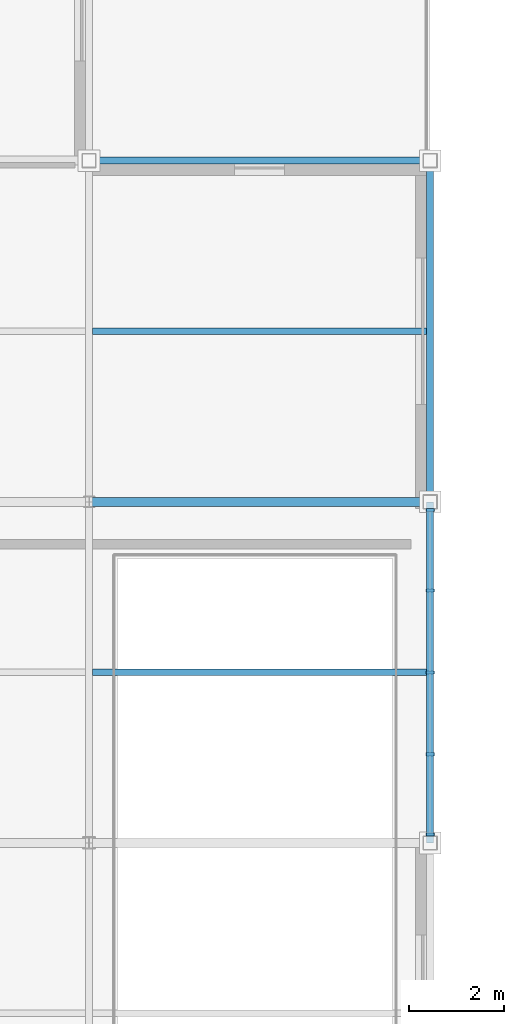
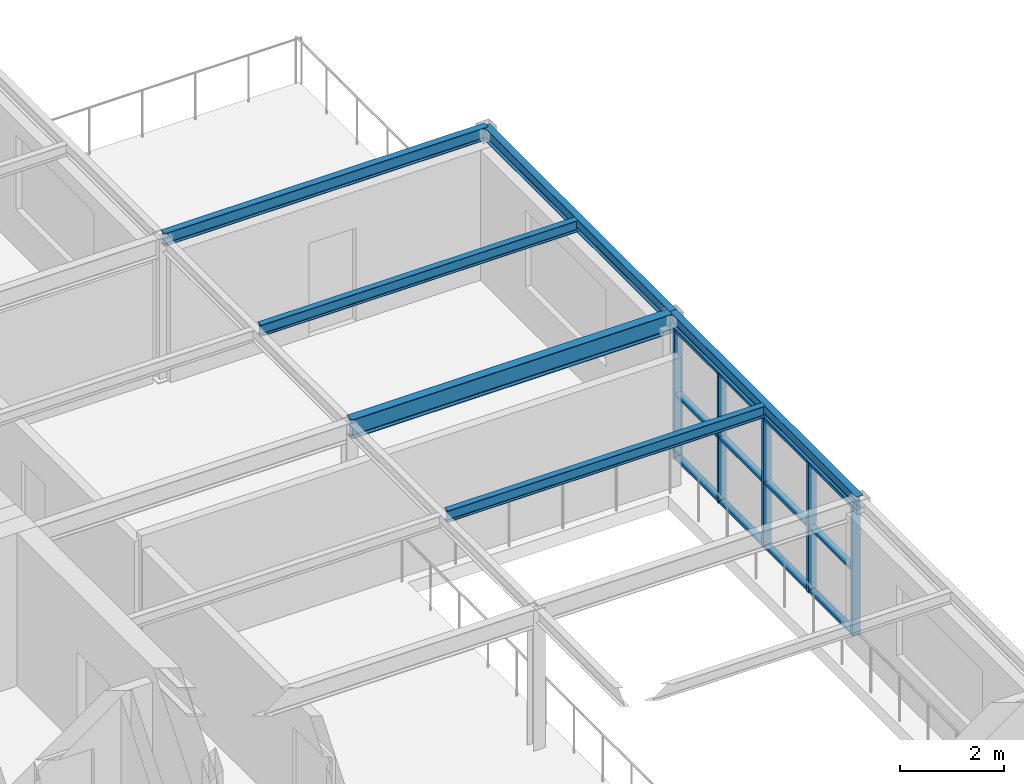
# One storey, part 9 of 22: 8 members, 6 beams, 1 element without a shape of its own.
"""IFC4 building model written with IfcOpenShell, lengths in metres."""

import ifcopenshell
import ifcopenshell.guid

model = None  # the IFC model being written
_history = None  # IfcOwnerHistory: only IFC2X3 demands one
_inside = {}  # id of a spatial element -> (the spatial element, [elements in it])
_under = {}  # id of a project, library or spatial element -> (it, [spatial elements below it])
_declared = {}  # id of a project -> (the project, [libraries it declares])
_typed = {}  # id of a type object -> (the type object, [elements of that type])
_made_of = {}  # id of a material, layer set ... -> (it, [elements and type objects made of it])


def new_model(schema):
    """Start an empty IFC model of exactly this schema.

    Asked for "IFC4X3", IfcOpenShell would pick the latest addendum, in which some entities
    have other attributes; the version numbers below select the first issue.
    IFC2X3 requires an IfcOwnerHistory on every rooted entity: one is made here for all.
    """
    global model, _history
    if schema == "IFC4X3":
        model = ifcopenshell.file(schema_version=(4, 3, 0, 0))
    else:
        model = ifcopenshell.file(schema=schema)
    _inside.clear()
    _under.clear()
    _declared.clear()
    _typed.clear()
    _made_of.clear()
    _history = None
    if model.schema == "IFC2X3":
        org = make("IfcOrganization", Name="unknown")
        user = make(
            "IfcPersonAndOrganization",
            ThePerson=make("IfcPerson", FamilyName="unknown"),
            TheOrganization=org,
        )
        app = make(
            "IfcApplication",
            ApplicationDeveloper=org,
            Version="unknown",
            ApplicationFullName="unknown",
            ApplicationIdentifier="unknown",
        )
        _history = make(
            "IfcOwnerHistory",
            OwningUser=user,
            OwningApplication=app,
            ChangeAction="ADDED",
            CreationDate=0,
        )
    return model


def make(cls, **values):
    """One entity of the class cls with the attributes given. An attribute that is None is left unset."""
    return model.create_entity(
        cls, **{name: value for name, value in values.items() if value is not None}
    )


def rooted(cls, **values):
    """An entity with a GlobalId (a new one), such as an element, a storey or a relation."""
    return make(cls, GlobalId=ifcopenshell.guid.new(), OwnerHistory=_history, **values)


def si_unit(unit_type, name, prefix=None):
    """IfcSIUnit, for example si_unit("LENGTHUNIT", "METRE", prefix="MILLI")."""
    return make("IfcSIUnit", UnitType=unit_type, Prefix=prefix, Name=name)


def assignment(units):
    """IfcUnitAssignment: the units of a project."""
    return None if units is None else make("IfcUnitAssignment", Units=units)


def point(xyz):
    """IfcCartesianPoint."""
    return None if xyz is None else make("IfcCartesianPoint", Coordinates=xyz)


def direction(xyz):
    """IfcDirection."""
    return None if xyz is None else make("IfcDirection", DirectionRatios=xyz)


def frame(location, z_axis=None, x_axis=None):
    """IfcAxis2Placement3D, a coordinate frame: its origin and axes. An axis left out is left unset."""
    return make(
        "IfcAxis2Placement3D",
        Location=point(location),
        Axis=direction(z_axis),
        RefDirection=direction(x_axis),
    )


def frame_2d(location, x_axis=None):
    """IfcAxis2Placement2D, a coordinate frame in the plane: its origin and x axis."""
    return make(
        "IfcAxis2Placement2D", Location=point(location), RefDirection=direction(x_axis)
    )


def origin():
    """The frame at (0, 0, 0) with its axes left unset."""
    return frame((0.0, 0.0, 0.0))


def origin_2d():
    """The frame at (0, 0) in the plane with its x axis left unset."""
    return frame_2d((0.0, 0.0))


def place(relative_to, where):
    """IfcLocalPlacement: puts the frame where relative to a parent placement (None: the world)."""
    return make(
        "IfcLocalPlacement", PlacementRelTo=relative_to, RelativePlacement=where
    )


def context(
    kind, dimensions, precision=None, world=None, true_north=None, identifier=None
):
    """IfcGeometricRepresentationContext, for example the 3D "Model" context."""
    return make(
        "IfcGeometricRepresentationContext",
        ContextIdentifier=identifier,
        ContextType=kind,
        CoordinateSpaceDimension=dimensions,
        Precision=precision,
        WorldCoordinateSystem=world,
        TrueNorth=true_north,
    )


def subcontext(parent, identifier, kind, view, scale=None):
    """IfcGeometricRepresentationSubContext, for example "Body" below "Model"."""
    return make(
        "IfcGeometricRepresentationSubContext",
        ContextIdentifier=identifier,
        ContextType=kind,
        ParentContext=parent,
        TargetScale=scale,
        TargetView=view,
    )


def project(units=None, contexts=None):
    """IfcProject with its units and contexts."""
    return rooted(
        "IfcProject",
        Name="project",
        RepresentationContexts=contexts,
        UnitsInContext=assignment(units),
    )


def spatial(cls, under=None, at=None, **own):
    """A site, building, storey or space (cls), placed at a placement, below another one or the project."""
    s = rooted(cls, ObjectPlacement=at, **own)
    if under is not None:
        _under.setdefault(under.id(), (under, []))[1].append(s)
    return s


def profile(cls, at=None, kind="AREA", **sizes):
    """A parametric profile (cls). Its sizes go by their IFC names, for example OverallWidth=200.0."""
    return make(cls, ProfileType=kind, Position=at, **sizes)


def rectangle(**sizes):
    """IfcRectangleProfileDef."""
    return profile("IfcRectangleProfileDef", **sizes)


def i_section(**sizes):
    """IfcIShapeProfileDef."""
    return profile("IfcIShapeProfileDef", **sizes)


def extrude(swept, where, along, depth):
    """IfcExtrudedAreaSolid: the profile swept, set in the frame where, extruded along a direction by depth."""
    return make(
        "IfcExtrudedAreaSolid",
        SweptArea=swept,
        Position=where,
        ExtrudedDirection=direction(along),
        Depth=depth,
    )


def shape(context_of_items, identifier, shape_type, items):
    """IfcShapeRepresentation: the items that make up one representation, for example the "Body"."""
    return make(
        "IfcShapeRepresentation",
        ContextOfItems=context_of_items,
        RepresentationIdentifier=identifier,
        RepresentationType=shape_type,
        Items=items,
    )


def material(Name=None, Category=None):
    """IfcMaterial."""
    return make("IfcMaterial", Name=Name, Category=Category)


def material_profile(
    of_material, cross_section, Name=None, Category=None, Priority=None
):
    """IfcMaterialProfile: a cross section and its material."""
    return make(
        "IfcMaterialProfile",
        Name=Name,
        Material=of_material,
        Profile=cross_section,
        Priority=Priority,
        Category=Category,
    )


def profile_set(profiles, Name=None, composite=None):
    """IfcMaterialProfileSet."""
    return make(
        "IfcMaterialProfileSet",
        Name=Name,
        MaterialProfiles=profiles,
        CompositeProfile=composite,
    )


def made_of(thing, what):
    """Note that an element or type object is made of a material, layer set ...; save() writes the relation."""
    if what is not None:
        _made_of.setdefault(what.id(), (what, []))[1].append(thing)
    return thing


def type_object(cls, material=None, **own):
    """A type object (cls), such as IfcWallType, which elements share."""
    return made_of(rooted(cls, **own), material)


def element(
    cls,
    number,
    at=None,
    inside=None,
    cuts=None,
    type_object=None,
    material=None,
    context=None,
    identifier="Body",
    shape_type=None,
    held_by="IfcProductDefinitionShape",
    body=None,
    shapes=None,
    **own,
):
    """One element of the class cls, such as IfcWall. Its Tag is "e" and its number.

    at: its placement. inside: the storey or other place that contains it. cuts: it is an
    opening in that element (IfcRelVoidsElement). A single representation is given by context,
    identifier, shape_type and body (its items); several are given by shapes. held_by: the class
    of the entity that holds the representations. save() writes the other relations.
    """
    e = rooted(cls, Tag="e%d" % number, ObjectPlacement=at, **own)
    if body is not None:
        shapes = [shape(context, identifier, shape_type, body)]
    if shapes is not None:
        e.Representation = make(held_by, Representations=shapes)
    if inside is not None:
        _inside.setdefault(inside.id(), (inside, []))[1].append(e)
    if cuts is not None:
        rooted(
            "IfcRelVoidsElement", RelatingBuildingElement=cuts, RelatedOpeningElement=e
        )
    if type_object is not None:
        _typed.setdefault(type_object.id(), (type_object, []))[1].append(e)
    return made_of(e, material)


def aggregate(whole, parts):
    """IfcRelAggregates: a whole, such as a stair, and the parts it consists of."""
    return rooted("IfcRelAggregates", RelatingObject=whole, RelatedObjects=parts)


def save(model, path):
    """Write the relations noted so far, then the file.

    IfcRelAggregates (storeys below a building ...), IfcRelContainedInSpatialStructure (elements
    in a storey), IfcRelDefinesByType, IfcRelAssociatesMaterial and IfcRelDeclares: one each for
    every whole, place, type object, material and project.
    """
    for whole, parts in _under.values():
        aggregate(whole, parts)
    for where, things in _inside.values():
        rooted(
            "IfcRelContainedInSpatialStructure",
            RelatedElements=things,
            RelatingStructure=where,
        )
    for kind, things in _typed.values():
        rooted("IfcRelDefinesByType", RelatedObjects=things, RelatingType=kind)
    for what, things in _made_of.values():
        rooted("IfcRelAssociatesMaterial", RelatedObjects=things, RelatingMaterial=what)
    for by, libraries in _declared.values():
        rooted("IfcRelDeclares", RelatingContext=by, RelatedDefinitions=libraries)
    model.write(path)


model = new_model("IFC4")

# Units and contexts
model_context = context("Model", 3, precision=1e-05, world=origin(), true_north=direction((0.0, 1.0)))
body_context = subcontext(model_context, "Body", "Model", "MODEL_VIEW")
ifc_project = project(units=[si_unit("LENGTHUNIT", "METRE"), si_unit("AREAUNIT", "SQUARE_METRE"), si_unit("VOLUMEUNIT", "CUBIC_METRE"), si_unit("PLANEANGLEUNIT", "RADIAN"), si_unit("MASSUNIT", "GRAM", prefix="KILO")], contexts=[model_context])

# Site, building, storey
site_placement = place(None, origin())
site = spatial("IfcSite", under=ifc_project, at=site_placement, CompositionType="ELEMENT")
building_placement = place(site_placement, origin())
building = spatial("IfcBuilding", under=site, at=building_placement, Name="Leyfeld Transit Interchange", CompositionType="ELEMENT")
storey_placement = place(building_placement, frame((0.0, 0.0, 18.0)))
storey = spatial("IfcBuildingStorey", under=building, at=storey_placement, Name="L04", CompositionType="ELEMENT", Elevation=18.0)

# Beams
ifc_material_1 = material(Name="Steel S355J2", Category="steel")
ifc_material_profile_1 = material_profile(ifc_material_1, i_section(OverallWidth=0.135009765625, OverallDepth=0.27001953125, WebThickness=0.006591796875, FlangeThickness=0.01025390625, FilletRadius=0.014892578125, at=origin_2d()), Name="IPE 270")
ifc_profile_set_1 = profile_set([ifc_material_profile_1], Name="Steel S355J2")
beam_type_1 = type_object("IfcBeamType", Name="BM-STL-IPE270", PredefinedType="BEAM", material=ifc_profile_set_1)
for number, where, z_axis, x_axis, name in (
    (1, (28.8720703125, 104.39990234375, 3.22509765625), (1.0, 0.0, 0.0), (0.0, 1.0, 0.0), "Beam BM-L04-0289_1044-0359_1044"),
    (2, (28.8720703125, 111.60009765625, 3.22509765625), (1.0, 0.0, 0.0), (0.0, 1.0, 0.0), "Beam BM-L04-0289_1116-0359_1116"),
):
    element("IfcBeam", number, at=place(storey_placement, frame(where, z_axis=z_axis, x_axis=x_axis)), inside=storey, type_object=beam_type_1, Name=name, PredefinedType="BEAM", context=body_context, shape_type="SweptSolid", body=[
        extrude(i_section(OverallWidth=0.135009765625, OverallDepth=0.27001953125, WebThickness=0.006591796875, FlangeThickness=0.01025390625, FilletRadius=0.014892578125, at=origin_2d()), origin(), (0.0, 0.0, 1.0), 7.055908203125),
    ])
ifc_material_profile_2 = material_profile(ifc_material_1, i_section(OverallWidth=0.14990234375, OverallDepth=0.300048828125, WebThickness=0.007080078125, FlangeThickness=0.0107421875, FilletRadius=0.014892578125, at=origin_2d()), Name="IPE 300")
ifc_profile_set_2 = profile_set([ifc_material_profile_2], Name="Steel S355J2")
beam_type_2 = type_object("IfcBeamType", Name="BM-STL-IPE300", PredefinedType="SPANDREL", material=ifc_profile_set_2)
for number, where, z_axis, x_axis, name in (
    (3, (36.0, 100.800048828125, 3.2099609375), (0.0, 1.0, 0.0), (-1.0, 0.0, 0.0), "Beam BM-L04-0360_1008-0360_1080"),
    (4, (36.0, 108.0, 3.2099609375), (0.0, 1.0, 0.0), (-1.0, 0.0, 0.0), "Beam BM-L04-0360_1080-0360_1152"),
    (5, (28.800048828125, 115.199951171875, 3.2099609375), (1.0, 0.0, 0.0), (0.0, 1.0, 0.0), "Beam BM-L04-0288_1152-0360_1152"),
):
    element("IfcBeam", number, at=place(storey_placement, frame(where, z_axis=z_axis, x_axis=x_axis)), inside=storey, type_object=beam_type_2, Name=name, PredefinedType="SPANDREL", context=body_context, shape_type="SweptSolid", body=[
        extrude(i_section(OverallWidth=0.14990234375, OverallDepth=0.300048828125, WebThickness=0.007080078125, FlangeThickness=0.0107421875, FilletRadius=0.014892578125, at=origin_2d()), origin(), (0.0, 0.0, 1.0), 7.199951171875),
    ])
ifc_material_profile_3 = material_profile(ifc_material_1, i_section(OverallWidth=0.18994140625, OverallDepth=0.449951171875, WebThickness=0.009521484375, FlangeThickness=0.0146484375, FilletRadius=0.02099609375, at=origin_2d()), Name="IPE 450")
ifc_profile_set_3 = profile_set([ifc_material_profile_3], Name="Steel S355J2")
beam_type_3 = type_object("IfcBeamType", Name="BM-STL-IPE450", PredefinedType="BEAM", material=ifc_profile_set_3)
beam_placement = place(storey_placement, frame((28.800048828125, 108.0, 3.135009765625), z_axis=(1.0, 0.0, 0.0), x_axis=(0.0, 1.0, 0.0)))
element("IfcBeam", 6, at=beam_placement, inside=storey, type_object=beam_type_3, Name="Beam BM-L04-0288_1080-0360_1080", PredefinedType="BEAM", context=body_context, shape_type="SweptSolid", body=[
    extrude(i_section(OverallWidth=0.18994140625, OverallDepth=0.449951171875, WebThickness=0.009521484375, FlangeThickness=0.0146484375, FilletRadius=0.02099609375, at=origin_2d()), origin(), (0.0, 0.0, 1.0), 7.199951171875),
])

# Curtain wall, members
ifc_material_2 = material(Name="Anodised aluminium EN AW-6060 T66", Category="aluminium")
curtain_wall_type = type_object("IfcCurtainWallType", Name="CW-SYS-OPS-7200", PredefinedType="NOTDEFINED", material=ifc_material_2)
curtain_wall_placement = place(storey_placement, origin())
curtain_wall = element("IfcCurtainWall", 7, at=curtain_wall_placement, inside=storey, type_object=curtain_wall_type, Name="Curtain Wall CW-L04-138", PredefinedType="NOTDEFINED")
ifc_material_profile_4 = material_profile(ifc_material_2, rectangle(XDim=0.06494140625, YDim=0.179931640625, at=origin_2d()), Name="CW-M 65x180")
ifc_profile_set_4 = profile_set([ifc_material_profile_4], Name="Anodised aluminium EN AW-6060 T66")
member_type_1 = type_object("IfcMemberType", Name="CW-MUL-150x65", PredefinedType="MULLION", material=ifc_profile_set_4)
member_1_placement = place(storey_placement, frame((36.0, 107.827392578125, 0.0), z_axis=(0.0, 0.0, 1.0), x_axis=(0.0, -1.0, 0.0)))
member_1 = element("IfcMember", 8, at=member_1_placement, type_object=member_type_1, Name="Curtain Mullion CW-L04-138-M01", PredefinedType="MULLION", context=body_context, shape_type="SweptSolid", body=[
    extrude(rectangle(XDim=0.06494140625, YDim=0.179931640625, at=origin_2d()), origin(), (0.0, 0.0, 1.0), 3.06005859375),
])
member_2_placement = place(storey_placement, frame((36.0, 106.1298828125, 0.0), z_axis=(0.0, 0.0, 1.0), x_axis=(0.0, -1.0, 0.0)))
member_2 = element("IfcMember", 9, at=member_2_placement, type_object=member_type_1, Name="Curtain Mullion CW-L04-138-M02", PredefinedType="MULLION", context=body_context, shape_type="SweptSolid", body=[
    extrude(rectangle(XDim=0.06494140625, YDim=0.179931640625, at=origin_2d()), origin(), (0.0, 0.0, 1.0), 3.06005859375),
])
member_3_placement = place(storey_placement, frame((36.0, 104.39990234375, 0.0), z_axis=(0.0, 0.0, 1.0), x_axis=(0.0, -1.0, 0.0)))
member_3 = element("IfcMember", 10, at=member_3_placement, type_object=member_type_1, Name="Curtain Mullion CW-L04-138-M03", PredefinedType="MULLION", context=body_context, shape_type="SweptSolid", body=[
    extrude(rectangle(XDim=0.06494140625, YDim=0.179931640625, at=origin_2d()), origin(), (0.0, 0.0, 1.0), 3.06005859375),
])
member_4_placement = place(storey_placement, frame((36.0, 102.669921875, 0.0), z_axis=(0.0, 0.0, 1.0), x_axis=(0.0, -1.0, 0.0)))
member_4 = element("IfcMember", 11, at=member_4_placement, type_object=member_type_1, Name="Curtain Mullion CW-L04-138-M04", PredefinedType="MULLION", context=body_context, shape_type="SweptSolid", body=[
    extrude(rectangle(XDim=0.06494140625, YDim=0.179931640625, at=origin_2d()), origin(), (0.0, 0.0, 1.0), 3.06005859375),
])
member_5_placement = place(storey_placement, frame((36.0, 100.972412109375, 0.0), z_axis=(0.0, 0.0, 1.0), x_axis=(0.0, -1.0, 0.0)))
member_5 = element("IfcMember", 12, at=member_5_placement, type_object=member_type_1, Name="Curtain Mullion CW-L04-138-M05", PredefinedType="MULLION", context=body_context, shape_type="SweptSolid", body=[
    extrude(rectangle(XDim=0.06494140625, YDim=0.179931640625, at=origin_2d()), origin(), (0.0, 0.0, 1.0), 3.06005859375),
])
ifc_material_profile_5 = material_profile(ifc_material_2, rectangle(XDim=0.14990234375, YDim=0.06494140625, at=origin_2d()), Name="CW-TRN-135x65")
ifc_profile_set_5 = profile_set([ifc_material_profile_5], Name="Anodised aluminium EN AW-6060 T66")
member_type_2 = type_object("IfcMemberType", Name="CW-TRN-135x65", PredefinedType="USERDEFINED", material=ifc_profile_set_5)
member_6_placement = place(storey_placement, frame((36.0, 107.860107421875, 0.032470703125), z_axis=(0.0, -1.0, 0.0), x_axis=(1.0, 0.0, 0.0)))
member_6 = element("IfcMember", 13, at=member_6_placement, type_object=member_type_2, Name="Curtain Transom CW-L04-138-T01", ObjectType="TRANSOM", PredefinedType="USERDEFINED", context=body_context, shape_type="SweptSolid", body=[
    extrude(rectangle(XDim=0.14990234375, YDim=0.06494140625, at=origin_2d()), origin(), (0.0, 0.0, 1.0), 6.920166015625),
])
member_7_placement = place(storey_placement, frame((36.0, 107.860107421875, 1.530029296875), z_axis=(0.0, -1.0, 0.0), x_axis=(1.0, 0.0, 0.0)))
member_7 = element("IfcMember", 14, at=member_7_placement, type_object=member_type_2, Name="Curtain Transom CW-L04-138-T02", ObjectType="TRANSOM", PredefinedType="USERDEFINED", context=body_context, shape_type="SweptSolid", body=[
    extrude(rectangle(XDim=0.14990234375, YDim=0.06494140625, at=origin_2d()), origin(), (0.0, 0.0, 1.0), 6.920166015625),
])
member_8_placement = place(storey_placement, frame((36.0, 107.860107421875, 3.027587890625), z_axis=(0.0, -1.0, 0.0), x_axis=(1.0, 0.0, 0.0)))
member_8 = element("IfcMember", 15, at=member_8_placement, type_object=member_type_2, Name="Curtain Transom CW-L04-138-T03", ObjectType="TRANSOM", PredefinedType="USERDEFINED", context=body_context, shape_type="SweptSolid", body=[
    extrude(rectangle(XDim=0.14990234375, YDim=0.06494140625, at=origin_2d()), origin(), (0.0, 0.0, 1.0), 6.920166015625),
])
aggregate(curtain_wall, [member_1, member_2, member_3, member_4, member_5, member_6, member_7, member_8])

save(model, "model.ifc")
